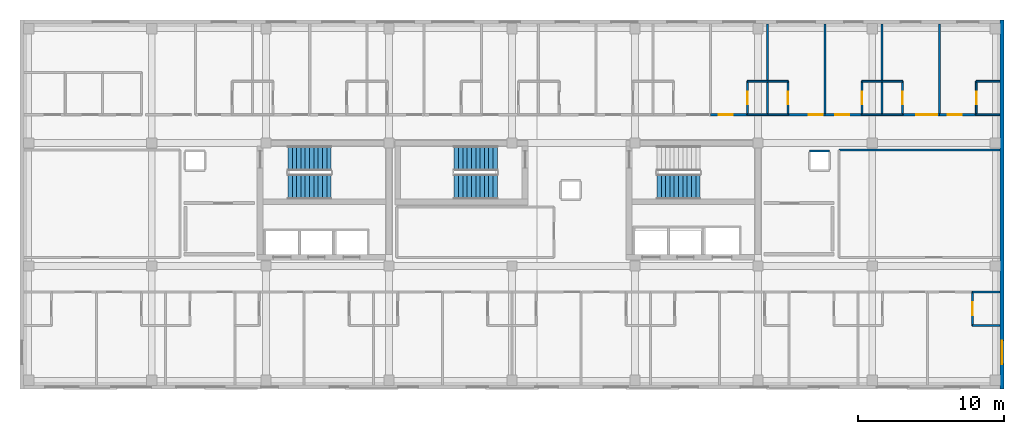
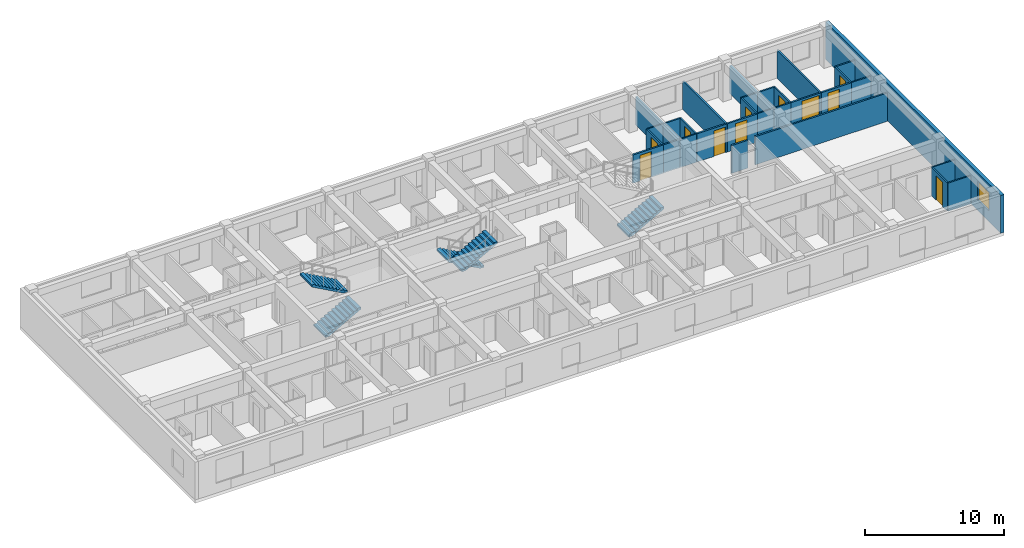
# One storey, part 8 of 11: 30 walls, 11 doors, 5 stair flights, 1 window, 12 openings, 3 elements without a shape of their own.
"""IFC4 building model written with IfcOpenShell, lengths in metres."""

from ifc_helpers import new_model, si_unit, direction, frame, frame_2d, origin, place, context, subcontext, project, spatial, polyline, rectangle, outline, extrude, material, layer, layer_set, type_object, element, fill, aggregate, save


model = new_model("IFC4")

# Units and contexts
model_context = context("Model", 3, precision=1e-05, world=origin(), true_north=direction((0.0, 1.0)))
body_context = subcontext(model_context, "Body", "Model", "MODEL_VIEW")
ifc_project = project(units=[si_unit("LENGTHUNIT", "METRE"), si_unit("AREAUNIT", "SQUARE_METRE"), si_unit("VOLUMEUNIT", "CUBIC_METRE"), si_unit("PLANEANGLEUNIT", "RADIAN"), si_unit("MASSUNIT", "GRAM", prefix="KILO")], contexts=[model_context])

# Site, building, storey
site_placement = place(None, origin())
site = spatial("IfcSite", under=ifc_project, at=site_placement, CompositionType="ELEMENT")
building_placement = place(site_placement, origin())
building = spatial("IfcBuilding", under=site, at=building_placement, Name="Zayran Congress Hotel", CompositionType="ELEMENT")
storey_placement = place(building_placement, frame((0.0, 0.0, 26.39990234375)))
storey = spatial("IfcBuildingStorey", under=building, at=storey_placement, Name="L06", CompositionType="ELEMENT", Elevation=26.39990234375)

# Wall, opening, window
ifc_material_1 = material(Name="Hajar Ma'ani limestone cavity wall and concrete C32/40", Category="masonry")
ifc_layer_1 = layer(ifc_material_1, 0.280029296875)
ifc_layer_set_1 = layer_set([ifc_layer_1], Name="Hajar Ma'ani limestone cavity wall and concrete C32/40")
wall_type_1 = type_object("IfcWallType", Name="WL-EX-280", PredefinedType="SOLIDWALL", material=ifc_layer_set_1)
wall_1_placement = place(storey_placement, frame((75.4599609375, 34.0, 0.0), z_axis=(0.0, 0.0, 1.0), x_axis=(0.0, -1.0, 0.0)))
wall_1 = element("IfcWall", 1, at=wall_1_placement, inside=storey, type_object=wall_type_1, Name="EW-V5-E-L06", PredefinedType="SOLIDWALL", context=body_context, shape_type="SweptSolid", body=[
    extrude(rectangle(XDim=25.199951171875, YDim=0.280029296875, at=frame_2d((12.60009765625, 0.0))), origin(), (0.0, 0.0, 1.0), 3.320068359375),
])
opening_1_placement = place(wall_1_placement, frame((21.89990234375, 0.0, 0.949951171875)))
opening_1 = element("IfcOpeningElement", 2, at=opening_1_placement, cuts=wall_1, Name="Opening WN-15", PredefinedType="OPENING", context=body_context, shape_type="SweptSolid", body=[
    extrude(rectangle(XDim=1.60009765625, YDim=1.60009765625, at=frame_2d((0.800048828125, 0.800048828125))), frame((0.0, 0.14990234375, 0.0), z_axis=(0.0, -1.0, 0.0), x_axis=(1.0, 0.0, 0.0)), (0.0, 0.0, 1.0), 0.300048828125),
])
ifc_material_2 = material(Name="Anodised aluminium and low-E insulated glass", Category="aluminium")
window_type = type_object("IfcWindowType", Name="TP-WN-15", PartitioningType="SINGLE_PANEL", PredefinedType="WINDOW", material=ifc_material_2)
window_placement = place(opening_1_placement, origin())
window = element("IfcWindow", 3, at=window_placement, inside=storey, type_object=window_type, Name="WIN-V5E-L06", OverallHeight=1.60009765625, OverallWidth=1.60009765625, PartitioningType="SINGLE_PANEL", PredefinedType="WINDOW", context=body_context, shape_type="SweptSolid", body=[
    extrude(rectangle(XDim=1.60009765625, YDim=1.60009765625, at=frame_2d((0.800048828125, 0.800048828125))), frame((0.0, 0.030029296875, 0.0), z_axis=(0.0, -1.0, 0.0), x_axis=(1.0, 0.0, 0.0)), (0.0, 0.0, 1.0), 0.06005859375),
])
fill(opening_1, window)

# Wall, opening, door
ifc_material_3 = material(Name="Hospitality guestroom acoustic partition", Category="gypsum")
ifc_layer_2 = layer(ifc_material_3, 0.139892578125)
ifc_layer_set_2 = layer_set([ifc_layer_2], Name="Hospitality guestroom acoustic partition")
wall_type_2 = type_object("IfcWallType", Name="WL-PT-140", PredefinedType="PARTITIONING", material=ifc_layer_set_2)
wall_2_placement = place(storey_placement, frame((55.56689453125, 27.530029296875, 0.0), z_axis=(0.0, 0.0, 1.0), x_axis=(1.0, 0.0, 0.0)))
wall_2 = element("IfcWall", 4, at=wall_2_placement, inside=storey, type_object=wall_type_2, Name="IW-L06-0717", PredefinedType="PARTITIONING", context=body_context, shape_type="SweptSolid", body=[
    extrude(rectangle(XDim=2.51220703125, YDim=0.139892578125, at=frame_2d((1.256103515625, 0.0))), origin(), (0.0, 0.0, 1.0), 2.47998046875),
])
opening_2_placement = place(wall_2_placement, frame((0.549072265625, 0.0, 0.0)))
opening_2 = element("IfcOpeningElement", 5, at=opening_2_placement, cuts=wall_2, Name="Opening DR-GR-03", PredefinedType="OPENING", context=body_context, shape_type="SweptSolid", body=[
    extrude(rectangle(XDim=0.9599609375, YDim=2.25, at=frame_2d((0.47998046875, 1.125))), frame((0.0, 0.079833984375, 0.0), z_axis=(0.0, -1.0, 0.0), x_axis=(1.0, 0.0, 0.0)), (0.0, 0.0, 1.0), 0.159912109375),
])
ifc_material_4 = material(Name="Executive walnut veneer entry door", Category="wood")
door_type_1 = type_object("IfcDoorType", Name="TP-DR-GR-03", OperationType="NOTDEFINED", PredefinedType="DOOR", material=ifc_material_4)
door_1_placement = place(opening_2_placement, origin())
door_1 = element("IfcDoor", 6, at=door_1_placement, inside=storey, type_object=door_type_1, Name="Guest Room L06-24 Door", OperationType="SINGLE_SWING_RIGHT", OverallHeight=2.25, OverallWidth=0.9599609375, PredefinedType="DOOR", context=body_context, shape_type="SweptSolid", body=[
    extrude(rectangle(XDim=0.9599609375, YDim=2.25, at=frame_2d((0.47998046875, 1.125))), frame((0.0, 0.02490234375, 0.0), z_axis=(0.0, -1.0, 0.0), x_axis=(1.0, 0.0, 0.0)), (0.0, 0.0, 1.0), 0.050048828125),
])
fill(opening_2, door_1)

wall_3_placement = place(storey_placement, frame((60.85302734375, 27.530029296875, 0.0), z_axis=(0.0, 0.0, 1.0), x_axis=(1.0, 0.0, 0.0)))
wall_3 = element("IfcWall", 7, at=wall_3_placement, inside=storey, type_object=wall_type_2, Name="IW-L06-0718", PredefinedType="PARTITIONING", context=body_context, shape_type="SweptSolid", body=[
    extrude(rectangle(XDim=2.510986328125, YDim=0.139892578125, at=frame_2d((1.25537109375, 0.0))), origin(), (0.0, 0.0, 1.0), 2.47998046875),
])
opening_3_placement = place(wall_3_placement, frame((1.410888671875, 0.0, 0.0)))
opening_3 = element("IfcOpeningElement", 8, at=opening_3_placement, cuts=wall_3, Name="Opening DR-GR-03", PredefinedType="OPENING", context=body_context, shape_type="SweptSolid", body=[
    extrude(rectangle(XDim=0.9599609375, YDim=2.25, at=frame_2d((0.47998046875, 1.125))), frame((0.0, 0.079833984375, 0.0), z_axis=(0.0, -1.0, 0.0), x_axis=(1.0, 0.0, 0.0)), (0.0, 0.0, 1.0), 0.159912109375),
])
door_2_placement = place(opening_3_placement, origin())
door_2 = element("IfcDoor", 9, at=door_2_placement, inside=storey, type_object=door_type_1, Name="Guest Room L06-25 Door", OperationType="SINGLE_SWING_LEFT", OverallHeight=2.25, OverallWidth=0.9599609375, PredefinedType="DOOR", context=body_context, shape_type="SweptSolid", body=[
    extrude(rectangle(XDim=0.9599609375, YDim=2.25, at=frame_2d((0.47998046875, 1.125))), frame((0.0, 0.02490234375, 0.0), z_axis=(0.0, -1.0, 0.0), x_axis=(1.0, 0.0, 0.0)), (0.0, 0.0, 1.0), 0.050048828125),
])
fill(opening_3, door_2)

wall_4_placement = place(storey_placement, frame((63.384033203125, 27.530029296875, 0.0), z_axis=(0.0, 0.0, 1.0), x_axis=(1.0, 0.0, 0.0)))
wall_4 = element("IfcWall", 10, at=wall_4_placement, inside=storey, type_object=wall_type_2, Name="IW-L06-0719", PredefinedType="PARTITIONING", context=body_context, shape_type="SweptSolid", body=[
    extrude(rectangle(XDim=2.511962890625, YDim=0.139892578125, at=frame_2d((1.255859375, 0.0))), origin(), (0.0, 0.0, 1.0), 2.47998046875),
])
opening_4_placement = place(wall_4_placement, frame((0.68505859375, 0.0, 0.0)))
opening_4 = element("IfcOpeningElement", 11, at=opening_4_placement, cuts=wall_4, Name="Opening DR-GR-03", PredefinedType="OPENING", context=body_context, shape_type="SweptSolid", body=[
    extrude(rectangle(XDim=0.9599609375, YDim=2.25, at=frame_2d((0.47998046875, 1.125))), frame((0.0, 0.079833984375, 0.0), z_axis=(0.0, -1.0, 0.0), x_axis=(1.0, 0.0, 0.0)), (0.0, 0.0, 1.0), 0.159912109375),
])
door_3_placement = place(opening_4_placement, origin())
door_3 = element("IfcDoor", 12, at=door_3_placement, inside=storey, type_object=door_type_1, Name="Guest Room L06-26 Door", OperationType="SINGLE_SWING_RIGHT", OverallHeight=2.25, OverallWidth=0.9599609375, PredefinedType="DOOR", context=body_context, shape_type="SweptSolid", body=[
    extrude(rectangle(XDim=0.9599609375, YDim=2.25, at=frame_2d((0.47998046875, 1.125))), frame((0.0, 0.02490234375, 0.0), z_axis=(0.0, -1.0, 0.0), x_axis=(1.0, 0.0, 0.0)), (0.0, 0.0, 1.0), 0.050048828125),
])
fill(opening_4, door_3)

wall_5_placement = place(storey_placement, frame((68.669921875, 27.530029296875, 0.0), z_axis=(0.0, 0.0, 1.0), x_axis=(1.0, 0.0, 0.0)))
wall_5 = element("IfcWall", 13, at=wall_5_placement, inside=storey, type_object=wall_type_2, Name="IW-L06-0720", PredefinedType="PARTITIONING", context=body_context, shape_type="SweptSolid", body=[
    extrude(rectangle(XDim=2.510986328125, YDim=0.139892578125, at=frame_2d((1.25537109375, 0.0))), origin(), (0.0, 0.0, 1.0), 2.47998046875),
])
opening_5_placement = place(wall_5_placement, frame((0.9208984375, 0.0, 0.0)))
opening_5 = element("IfcOpeningElement", 14, at=opening_5_placement, cuts=wall_5, Name="Opening DR-ST-01", PredefinedType="OPENING", context=body_context, shape_type="SweptSolid", body=[
    extrude(rectangle(XDim=1.449951171875, YDim=2.300048828125, at=frame_2d((0.72509765625, 1.14990234375))), frame((0.0, 0.079833984375, 0.0), z_axis=(0.0, -1.0, 0.0), x_axis=(1.0, 0.0, 0.0)), (0.0, 0.0, 1.0), 0.159912109375),
])
ifc_material_5 = material(Name="Double walnut veneer suite entry door", Category="wood")
door_type_2 = type_object("IfcDoorType", Name="TP-DR-ST-01", OperationType="DOUBLE_DOOR_SINGLE_SWING", PredefinedType="DOOR", material=ifc_material_5)
door_4_placement = place(opening_5_placement, origin())
door_4 = element("IfcDoor", 15, at=door_4_placement, inside=storey, type_object=door_type_2, Name="Executive Suite L06-27 Door", OperationType="DOUBLE_DOOR_SINGLE_SWING", OverallHeight=2.300048828125, OverallWidth=1.449951171875, PredefinedType="DOOR", context=body_context, shape_type="SweptSolid", body=[
    extrude(rectangle(XDim=1.449951171875, YDim=2.300048828125, at=frame_2d((0.72509765625, 1.14990234375))), frame((0.0, 0.02490234375, 0.0), z_axis=(0.0, -1.0, 0.0), x_axis=(1.0, 0.0, 0.0)), (0.0, 0.0, 1.0), 0.050048828125),
])
fill(opening_5, door_4)

wall_6_placement = place(storey_placement, frame((71.200927734375, 27.530029296875, 0.0), z_axis=(0.0, 0.0, 1.0), x_axis=(1.0, 0.0, 0.0)))
wall_6 = element("IfcWall", 16, at=wall_6_placement, inside=storey, type_object=wall_type_2, Name="IW-L06-0721", PredefinedType="PARTITIONING", context=body_context, shape_type="SweptSolid", body=[
    extrude(rectangle(XDim=2.511962890625, YDim=0.139892578125, at=frame_2d((1.255859375, 0.0))), origin(), (0.0, 0.0, 1.0), 2.47998046875),
])
opening_6_placement = place(wall_6_placement, frame((0.549072265625, 0.0, 0.0)))
opening_6 = element("IfcOpeningElement", 17, at=opening_6_placement, cuts=wall_6, Name="Opening DR-GR-03", PredefinedType="OPENING", context=body_context, shape_type="SweptSolid", body=[
    extrude(rectangle(XDim=0.9599609375, YDim=2.25, at=frame_2d((0.47998046875, 1.125))), frame((0.0, 0.079833984375, 0.0), z_axis=(0.0, -1.0, 0.0), x_axis=(1.0, 0.0, 0.0)), (0.0, 0.0, 1.0), 0.159912109375),
])
door_5_placement = place(opening_6_placement, origin())
door_5 = element("IfcDoor", 18, at=door_5_placement, inside=storey, type_object=door_type_1, Name="Guest Room L06-28 Door", OperationType="SINGLE_SWING_LEFT", OverallHeight=2.25, OverallWidth=0.9599609375, PredefinedType="DOOR", context=body_context, shape_type="SweptSolid", body=[
    extrude(rectangle(XDim=0.9599609375, YDim=2.25, at=frame_2d((0.47998046875, 1.125))), frame((0.0, 0.02490234375, 0.0), z_axis=(0.0, -1.0, 0.0), x_axis=(1.0, 0.0, 0.0)), (0.0, 0.0, 1.0), 0.050048828125),
])
fill(opening_6, door_5)

# Walls
wall_7_placement = place(storey_placement, frame((64.320068359375, 25.1201171875, 0.0), z_axis=(0.0, 0.0, 1.0), x_axis=(1.0, 0.0, 0.0)))
element("IfcWall", 19, at=wall_7_placement, inside=storey, type_object=wall_type_2, Name="IW-L06-2021", PredefinedType="PARTITIONING", context=body_context, shape_type="SweptSolid", body=[
    extrude(rectangle(XDim=11.0, YDim=0.139892578125, at=frame_2d((5.5, 0.0))), origin(), (0.0, 0.0, 1.0), 2.47998046875),
])
for number, where, z_axis, x_axis, name in (
    (20, (59.4560546875, 27.52001953125, 0.0), (0.0, 0.0, 1.0), (0.0, 1.0, 0.0), "IW-L06-2047"),
    (21, (63.364013671875, 27.52001953125, 0.0), (0.0, 0.0, 1.0), (0.0, 1.0, 0.0), "IW-L06-2048"),
    (22, (67.27294921875, 27.52001953125, 0.0), (0.0, 0.0, 1.0), (0.0, 1.0, 0.0), "IW-L06-2049"),
    (23, (71.180908203125, 27.52001953125, 0.0), (0.0, 0.0, 1.0), (0.0, 1.0, 0.0), "IW-L06-2050"),
):
    element("IfcWall", number, at=place(storey_placement, frame(where, z_axis=z_axis, x_axis=x_axis)), inside=storey, type_object=wall_type_2, Name=name, PredefinedType="PARTITIONING", context=body_context, shape_type="SweptSolid", body=[
        extrude(rectangle(XDim=6.199951171875, YDim=0.139892578125, at=frame_2d((3.10009765625, 0.0))), origin(), (0.0, 0.0, 1.0), 2.47998046875),
    ])
wall_8_placement = place(storey_placement, frame((63.68994140625, 25.050048828125, 0.0), z_axis=(0.0, 0.0, 1.0), x_axis=(-1.0, 0.0, 0.0)))
element("IfcWall", 24, at=wall_8_placement, inside=storey, type_object=wall_type_2, Name="RSWL-V5-L06-043-N", PredefinedType="PARTITIONING", context=body_context, shape_type="SweptSolid", body=[
    extrude(rectangle(XDim=1.35986328125, YDim=0.139892578125, at=frame_2d((0.679931640625, 0.0))), origin(), (0.0, 0.0, 1.0), 2.440185546875),
])

# Wall, opening, door
ifc_material_6 = material(Name="Moisture-resistant bathroom partition", Category="gypsum")
ifc_layer_3 = layer(ifc_material_6, 0.1201171875)
ifc_layer_set_3 = layer_set([ifc_layer_3], Name="Moisture-resistant bathroom partition")
wall_type_3 = type_object("IfcWallType", Name="WL-PT-120", PredefinedType="PARTITIONING", material=ifc_layer_set_3)
wall_9_placement = place(storey_placement, frame((73.44189453125, 13.1201171875, 0.0), z_axis=(0.0, 0.0, 1.0), x_axis=(0.0, 1.0, 0.0)))
wall_9 = element("IfcWall", 25, at=wall_9_placement, inside=storey, type_object=wall_type_3, Name="IW-L06-0204", PredefinedType="PARTITIONING", context=body_context, shape_type="SweptSolid", body=[
    extrude(rectangle(XDim=2.309814453125, YDim=0.1201171875, at=frame_2d((1.15478515625, 0.0))), origin(), (0.0, 0.0, 1.0), 2.47998046875),
])
opening_7_placement = place(wall_9_placement, frame((0.715087890625, 0.0, 0.0)))
opening_7 = element("IfcOpeningElement", 26, at=opening_7_placement, cuts=wall_9, Name="Opening DR-BT-01", PredefinedType="OPENING", context=body_context, shape_type="SweptSolid", body=[
    extrude(rectangle(XDim=0.8798828125, YDim=2.14990234375, at=frame_2d((0.43994140625, 1.074951171875))), frame((0.0, 0.070068359375, 0.0), z_axis=(0.0, -1.0, 0.0), x_axis=(1.0, 0.0, 0.0)), (0.0, 0.0, 1.0), 0.14013671875),
])
ifc_material_7 = material(Name="Moisture-resistant oak en-suite door", Category="wood")
door_type_3 = type_object("IfcDoorType", Name="TP-DR-BT-01", OperationType="NOTDEFINED", PredefinedType="DOOR", material=ifc_material_7)
door_6_placement = place(opening_7_placement, origin())
door_6 = element("IfcDoor", 27, at=door_6_placement, inside=storey, type_object=door_type_3, Name="En-Suite Bathroom L06-14 Door", OperationType="SINGLE_SWING_LEFT", OverallHeight=2.14990234375, OverallWidth=0.8798828125, PredefinedType="DOOR", context=body_context, shape_type="SweptSolid", body=[
    extrude(rectangle(XDim=0.8798828125, YDim=2.14990234375, at=frame_2d((0.43994140625, 1.074951171875))), frame((0.0, 0.02490234375, 0.0), z_axis=(0.0, -1.0, 0.0), x_axis=(1.0, 0.0, 0.0)), (0.0, 0.0, 1.0), 0.050048828125),
])
fill(opening_7, door_6)

wall_10_placement = place(storey_placement, frame((58.0791015625, 27.52001953125, 0.0), z_axis=(0.0, 0.0, 1.0), x_axis=(0.0, 1.0, 0.0)))
wall_10 = element("IfcWall", 28, at=wall_10_placement, inside=storey, type_object=wall_type_3, Name="IW-L06-0214", PredefinedType="PARTITIONING", context=body_context, shape_type="SweptSolid", body=[
    extrude(rectangle(XDim=2.31005859375, YDim=0.1201171875, at=frame_2d((1.155029296875, 0.0))), origin(), (0.0, 0.0, 1.0), 2.47998046875),
])
opening_8_placement = place(wall_10_placement, frame((0.715087890625, 0.0, 0.0)))
opening_8 = element("IfcOpeningElement", 29, at=opening_8_placement, cuts=wall_10, Name="Opening DR-BT-01", PredefinedType="OPENING", context=body_context, shape_type="SweptSolid", body=[
    extrude(rectangle(XDim=0.8798828125, YDim=2.14990234375, at=frame_2d((0.43994140625, 1.074951171875))), frame((0.0, 0.070068359375, 0.0), z_axis=(0.0, -1.0, 0.0), x_axis=(1.0, 0.0, 0.0)), (0.0, 0.0, 1.0), 0.14013671875),
])
door_7_placement = place(opening_8_placement, origin())
door_7 = element("IfcDoor", 30, at=door_7_placement, inside=storey, type_object=door_type_3, Name="En-Suite Bathroom L06-24 Door", OperationType="SINGLE_SWING_LEFT", OverallHeight=2.14990234375, OverallWidth=0.8798828125, PredefinedType="DOOR", context=body_context, shape_type="SweptSolid", body=[
    extrude(rectangle(XDim=0.8798828125, YDim=2.14990234375, at=frame_2d((0.43994140625, 1.074951171875))), frame((0.0, 0.02490234375, 0.0), z_axis=(0.0, -1.0, 0.0), x_axis=(1.0, 0.0, 0.0)), (0.0, 0.0, 1.0), 0.050048828125),
])
fill(opening_8, door_7)

wall_11_placement = place(storey_placement, frame((60.85302734375, 27.52001953125, 0.0), z_axis=(0.0, 0.0, 1.0), x_axis=(0.0, 1.0, 0.0)))
wall_11 = element("IfcWall", 31, at=wall_11_placement, inside=storey, type_object=wall_type_3, Name="IW-L06-0215", PredefinedType="PARTITIONING", context=body_context, shape_type="SweptSolid", body=[
    extrude(rectangle(XDim=2.31005859375, YDim=0.1201171875, at=frame_2d((1.155029296875, 0.0))), origin(), (0.0, 0.0, 1.0), 2.47998046875),
])
opening_9_placement = place(wall_11_placement, frame((0.715087890625, 0.0, 0.0)))
opening_9 = element("IfcOpeningElement", 32, at=opening_9_placement, cuts=wall_11, Name="Opening DR-BT-01", PredefinedType="OPENING", context=body_context, shape_type="SweptSolid", body=[
    extrude(rectangle(XDim=0.8798828125, YDim=2.14990234375, at=frame_2d((0.43994140625, 1.074951171875))), frame((0.0, 0.070068359375, 0.0), z_axis=(0.0, -1.0, 0.0), x_axis=(1.0, 0.0, 0.0)), (0.0, 0.0, 1.0), 0.14013671875),
])
door_8_placement = place(opening_9_placement, origin())
door_8 = element("IfcDoor", 33, at=door_8_placement, inside=storey, type_object=door_type_3, Name="En-Suite Bathroom L06-25 Door", OperationType="SINGLE_SWING_RIGHT", OverallHeight=2.14990234375, OverallWidth=0.8798828125, PredefinedType="DOOR", context=body_context, shape_type="SweptSolid", body=[
    extrude(rectangle(XDim=0.8798828125, YDim=2.14990234375, at=frame_2d((0.43994140625, 1.074951171875))), frame((0.0, 0.02490234375, 0.0), z_axis=(0.0, -1.0, 0.0), x_axis=(1.0, 0.0, 0.0)), (0.0, 0.0, 1.0), 0.050048828125),
])
fill(opening_9, door_8)

wall_12_placement = place(storey_placement, frame((65.89599609375, 27.52001953125, 0.0), z_axis=(0.0, 0.0, 1.0), x_axis=(0.0, 1.0, 0.0)))
wall_12 = element("IfcWall", 34, at=wall_12_placement, inside=storey, type_object=wall_type_3, Name="IW-L06-0216", PredefinedType="PARTITIONING", context=body_context, shape_type="SweptSolid", body=[
    extrude(rectangle(XDim=2.31005859375, YDim=0.1201171875, at=frame_2d((1.155029296875, 0.0))), origin(), (0.0, 0.0, 1.0), 2.47998046875),
])
opening_10_placement = place(wall_12_placement, frame((0.715087890625, 0.0, 0.0)))
opening_10 = element("IfcOpeningElement", 35, at=opening_10_placement, cuts=wall_12, Name="Opening DR-BT-01", PredefinedType="OPENING", context=body_context, shape_type="SweptSolid", body=[
    extrude(rectangle(XDim=0.8798828125, YDim=2.14990234375, at=frame_2d((0.43994140625, 1.074951171875))), frame((0.0, 0.070068359375, 0.0), z_axis=(0.0, -1.0, 0.0), x_axis=(1.0, 0.0, 0.0)), (0.0, 0.0, 1.0), 0.14013671875),
])
door_9_placement = place(opening_10_placement, origin())
door_9 = element("IfcDoor", 36, at=door_9_placement, inside=storey, type_object=door_type_3, Name="En-Suite Bathroom L06-26 Door", OperationType="SINGLE_SWING_LEFT", OverallHeight=2.14990234375, OverallWidth=0.8798828125, PredefinedType="DOOR", context=body_context, shape_type="SweptSolid", body=[
    extrude(rectangle(XDim=0.8798828125, YDim=2.14990234375, at=frame_2d((0.43994140625, 1.074951171875))), frame((0.0, 0.02490234375, 0.0), z_axis=(0.0, -1.0, 0.0), x_axis=(1.0, 0.0, 0.0)), (0.0, 0.0, 1.0), 0.050048828125),
])
fill(opening_10, door_9)

wall_13_placement = place(storey_placement, frame((68.669921875, 27.52001953125, 0.0), z_axis=(0.0, 0.0, 1.0), x_axis=(0.0, 1.0, 0.0)))
wall_13 = element("IfcWall", 37, at=wall_13_placement, inside=storey, type_object=wall_type_3, Name="IW-L06-0217", PredefinedType="PARTITIONING", context=body_context, shape_type="SweptSolid", body=[
    extrude(rectangle(XDim=2.31005859375, YDim=0.1201171875, at=frame_2d((1.155029296875, 0.0))), origin(), (0.0, 0.0, 1.0), 2.47998046875),
])
opening_11_placement = place(wall_13_placement, frame((0.715087890625, 0.0, 0.0)))
opening_11 = element("IfcOpeningElement", 38, at=opening_11_placement, cuts=wall_13, Name="Opening DR-BT-01", PredefinedType="OPENING", context=body_context, shape_type="SweptSolid", body=[
    extrude(rectangle(XDim=0.8798828125, YDim=2.14990234375, at=frame_2d((0.43994140625, 1.074951171875))), frame((0.0, 0.070068359375, 0.0), z_axis=(0.0, -1.0, 0.0), x_axis=(1.0, 0.0, 0.0)), (0.0, 0.0, 1.0), 0.14013671875),
])
door_10_placement = place(opening_11_placement, origin())
door_10 = element("IfcDoor", 39, at=door_10_placement, inside=storey, type_object=door_type_3, Name="En-Suite Bathroom L06-27 Door", OperationType="SINGLE_SWING_RIGHT", OverallHeight=2.14990234375, OverallWidth=0.8798828125, PredefinedType="DOOR", context=body_context, shape_type="SweptSolid", body=[
    extrude(rectangle(XDim=0.8798828125, YDim=2.14990234375, at=frame_2d((0.43994140625, 1.074951171875))), frame((0.0, 0.02490234375, 0.0), z_axis=(0.0, -1.0, 0.0), x_axis=(1.0, 0.0, 0.0)), (0.0, 0.0, 1.0), 0.050048828125),
])
fill(opening_11, door_10)

wall_14_placement = place(storey_placement, frame((73.712890625, 27.52001953125, 0.0), z_axis=(0.0, 0.0, 1.0), x_axis=(0.0, 1.0, 0.0)))
wall_14 = element("IfcWall", 40, at=wall_14_placement, inside=storey, type_object=wall_type_3, Name="IW-L06-0218", PredefinedType="PARTITIONING", context=body_context, shape_type="SweptSolid", body=[
    extrude(rectangle(XDim=2.31005859375, YDim=0.1201171875, at=frame_2d((1.155029296875, 0.0))), origin(), (0.0, 0.0, 1.0), 2.47998046875),
])
opening_12_placement = place(wall_14_placement, frame((0.715087890625, 0.0, 0.0)))
opening_12 = element("IfcOpeningElement", 41, at=opening_12_placement, cuts=wall_14, Name="Opening DR-BT-01", PredefinedType="OPENING", context=body_context, shape_type="SweptSolid", body=[
    extrude(rectangle(XDim=0.8798828125, YDim=2.14990234375, at=frame_2d((0.43994140625, 1.074951171875))), frame((0.0, 0.070068359375, 0.0), z_axis=(0.0, -1.0, 0.0), x_axis=(1.0, 0.0, 0.0)), (0.0, 0.0, 1.0), 0.14013671875),
])
door_11_placement = place(opening_12_placement, origin())
door_11 = element("IfcDoor", 42, at=door_11_placement, inside=storey, type_object=door_type_3, Name="En-Suite Bathroom L06-28 Door", OperationType="SINGLE_SWING_LEFT", OverallHeight=2.14990234375, OverallWidth=0.8798828125, PredefinedType="DOOR", context=body_context, shape_type="SweptSolid", body=[
    extrude(rectangle(XDim=0.8798828125, YDim=2.14990234375, at=frame_2d((0.43994140625, 1.074951171875))), frame((0.0, 0.02490234375, 0.0), z_axis=(0.0, -1.0, 0.0), x_axis=(1.0, 0.0, 0.0)), (0.0, 0.0, 1.0), 0.050048828125),
])
fill(opening_12, door_11)

# Walls
for number, where, z_axis, x_axis, name in (
    (43, (73.431884765625, 13.1298828125, 0.0), (0.0, 0.0, 1.0), (1.0, 0.0, 0.0), "IW-L06-1275"),
    (44, (73.431884765625, 15.419921875, 0.0), (0.0, 0.0, 1.0), (1.0, 0.0, 0.0), "IW-L06-1276"),
):
    element("IfcWall", number, at=place(storey_placement, frame(where, z_axis=z_axis, x_axis=x_axis)), inside=storey, type_object=wall_type_3, Name=name, PredefinedType="PARTITIONING", context=body_context, shape_type="SweptSolid", body=[
        extrude(rectangle(XDim=1.88818359375, YDim=0.1201171875, at=frame_2d((0.944091796875, 0.0))), origin(), (0.0, 0.0, 1.0), 2.47998046875),
    ])
for number, where, z_axis, x_axis, name in (
    (45, (58.069091796875, 27.530029296875, 0.0), (0.0, 0.0, 1.0), (1.0, 0.0, 0.0), "IW-L06-1295"),
    (46, (58.069091796875, 29.820068359375, 0.0), (0.0, 0.0, 1.0), (1.0, 0.0, 0.0), "IW-L06-1296"),
    (47, (59.466064453125, 27.530029296875, 0.0), (0.0, 0.0, 1.0), (1.0, 0.0, 0.0), "IW-L06-1297"),
    (48, (59.466064453125, 29.820068359375, 0.0), (0.0, 0.0, 1.0), (1.0, 0.0, 0.0), "IW-L06-1298"),
    (49, (65.885986328125, 27.530029296875, 0.0), (0.0, 0.0, 1.0), (1.0, 0.0, 0.0), "IW-L06-1299"),
    (50, (65.885986328125, 29.820068359375, 0.0), (0.0, 0.0, 1.0), (1.0, 0.0, 0.0), "IW-L06-1300"),
    (51, (67.282958984375, 27.530029296875, 0.0), (0.0, 0.0, 1.0), (1.0, 0.0, 0.0), "IW-L06-1301"),
    (52, (67.282958984375, 29.820068359375, 0.0), (0.0, 0.0, 1.0), (1.0, 0.0, 0.0), "IW-L06-1302"),
):
    element("IfcWall", number, at=place(storey_placement, frame(where, z_axis=z_axis, x_axis=x_axis)), inside=storey, type_object=wall_type_3, Name=name, PredefinedType="PARTITIONING", context=body_context, shape_type="SweptSolid", body=[
        extrude(rectangle(XDim=1.39697265625, YDim=0.1201171875, at=frame_2d((0.698486328125, 0.0))), origin(), (0.0, 0.0, 1.0), 2.47998046875),
    ])
for number, where, z_axis, x_axis, name in (
    (53, (73.702880859375, 27.530029296875, 0.0), (0.0, 0.0, 1.0), (1.0, 0.0, 0.0), "IW-L06-1303"),
    (54, (73.702880859375, 29.820068359375, 0.0), (0.0, 0.0, 1.0), (1.0, 0.0, 0.0), "IW-L06-1304"),
):
    element("IfcWall", number, at=place(storey_placement, frame(where, z_axis=z_axis, x_axis=x_axis)), inside=storey, type_object=wall_type_3, Name=name, PredefinedType="PARTITIONING", context=body_context, shape_type="SweptSolid", body=[
        extrude(rectangle(XDim=1.6171875, YDim=0.1201171875, at=frame_2d((0.80859375, 0.0))), origin(), (0.0, 0.0, 1.0), 2.47998046875),
    ])

# Stair, stair flights
ifc_material_8 = material(Name="Concrete C32/40", Category="concrete")
stair_type = type_object("IfcStairType", Name="TP-STR-1700-36", PredefinedType="USERDEFINED", material=ifc_material_8)
stair_1_placement = place(storey_placement, origin())
stair_1 = element("IfcStair", 55, at=stair_1_placement, inside=storey, type_object=stair_type, Name="L06 ST-01", ObjectType="TWO_RETURN_STAIR", PredefinedType="USERDEFINED")
stair_flight_type = type_object("IfcStairFlightType", Name="TP-STF-1700-36", PredefinedType="STRAIGHT", material=ifc_material_8)
stair_flight_1_placement = place(storey_placement, frame((26.699951171875, 22.610107421875, 0.0), z_axis=(0.0, 0.0, 1.0), x_axis=(1.0, 0.0, 0.0)))
stair_flight_1 = element("IfcStairFlight", 56, at=stair_flight_1_placement, type_object=stair_flight_type, Name="ST-01 flight 1", NumberOfRisers=11, NumberOfTreads=10, PredefinedType="STRAIGHT", RiserHeight=0.1636363636363637, TreadLength=0.295, context=body_context, shape_type="SweptSolid", body=[
    extrude(outline(polyline([(0.0, 0.0), (0.0, 0.16357421875), (0.294921875, 0.16357421875), (0.294921875, 0.327392578125), (0.590087890625, 0.327392578125), (0.590087890625, 0.490966796875), (0.885009765625, 0.490966796875), (0.885009765625, 0.654541015625), (1.179931640625, 0.654541015625), (1.179931640625, 0.818115234375), (1.47509765625, 0.818115234375), (1.47509765625, 0.98193359375), (1.77001953125, 0.98193359375), (1.77001953125, 1.1455078125), (2.06494140625, 1.1455078125), (2.06494140625, 1.30908203125), (2.360107421875, 1.30908203125), (2.360107421875, 1.47265625), (2.655029296875, 1.47265625), (2.655029296875, 1.636474609375), (2.949951171875, 1.636474609375), (2.949951171875, 1.800048828125), (2.949951171875, 1.46484375), (0.30908203125, 0.0), (0.0, 0.0)])), frame((0.0, 0.85009765625, 0.0), z_axis=(0.0, -1.0, 0.0), x_axis=(1.0, 0.0, 0.0)), (0.0, 0.0, 1.0), 1.699951171875),
])
stair_flight_2_placement = place(storey_placement, frame((29.64990234375, 24.550048828125, 1.800048828125), z_axis=(0.0, 0.0, 1.0), x_axis=(-1.0, 0.0, 0.0)))
stair_flight_2 = element("IfcStairFlight", 57, at=stair_flight_2_placement, type_object=stair_flight_type, Name="ST-01 flight 2", NumberOfRisers=11, NumberOfTreads=10, PredefinedType="STRAIGHT", RiserHeight=0.1636363636363637, TreadLength=0.295, context=body_context, shape_type="SweptSolid", body=[
    extrude(outline(polyline([(0.0, 0.0), (0.0, 0.16357421875), (0.294921875, 0.16357421875), (0.294921875, 0.327392578125), (0.590087890625, 0.327392578125), (0.590087890625, 0.490966796875), (0.885009765625, 0.490966796875), (0.885009765625, 0.654541015625), (1.179931640625, 0.654541015625), (1.179931640625, 0.818115234375), (1.47509765625, 0.818115234375), (1.47509765625, 0.98193359375), (1.77001953125, 0.98193359375), (1.77001953125, 1.1455078125), (2.06494140625, 1.1455078125), (2.06494140625, 1.30908203125), (2.360107421875, 1.30908203125), (2.360107421875, 1.47265625), (2.655029296875, 1.47265625), (2.655029296875, 1.636474609375), (2.949951171875, 1.636474609375), (2.949951171875, 1.800048828125), (2.949951171875, 1.46484375), (0.30908203125, 0.0), (0.0, 0.0)])), frame((0.0, 0.85009765625, 0.0), z_axis=(0.0, -1.0, 0.0), x_axis=(1.0, 0.0, 0.0)), (0.0, 0.0, 1.0), 1.699951171875),
])
aggregate(stair_1, [stair_flight_1, stair_flight_2])

# Stair, stair flight
stair_2_placement = place(storey_placement, origin())
stair_2 = element("IfcStair", 58, at=stair_2_placement, inside=storey, type_object=stair_type, Name="L06 ST-02", ObjectType="TWO_RETURN_STAIR", PredefinedType="USERDEFINED")
stair_flight_3_placement = place(storey_placement, frame((51.89990234375, 22.610107421875, 0.0), z_axis=(0.0, 0.0, 1.0), x_axis=(1.0, 0.0, 0.0)))
stair_flight_3 = element("IfcStairFlight", 59, at=stair_flight_3_placement, type_object=stair_flight_type, Name="ST-02 flight 1", NumberOfRisers=11, NumberOfTreads=10, PredefinedType="STRAIGHT", RiserHeight=0.1636363636363637, TreadLength=0.295, context=body_context, shape_type="SweptSolid", body=[
    extrude(outline(polyline([(0.0, 0.0), (0.0, 0.16357421875), (0.294921875, 0.16357421875), (0.294921875, 0.327392578125), (0.590087890625, 0.327392578125), (0.590087890625, 0.490966796875), (0.885009765625, 0.490966796875), (0.885009765625, 0.654541015625), (1.179931640625, 0.654541015625), (1.179931640625, 0.818115234375), (1.47509765625, 0.818115234375), (1.47509765625, 0.98193359375), (1.77001953125, 0.98193359375), (1.77001953125, 1.1455078125), (2.06494140625, 1.1455078125), (2.06494140625, 1.30908203125), (2.360107421875, 1.30908203125), (2.360107421875, 1.47265625), (2.655029296875, 1.47265625), (2.655029296875, 1.636474609375), (2.949951171875, 1.636474609375), (2.949951171875, 1.800048828125), (2.949951171875, 1.46484375), (0.30908203125, 0.0), (0.0, 0.0)])), frame((0.0, 0.85009765625, 0.0), z_axis=(0.0, -1.0, 0.0), x_axis=(1.0, 0.0, 0.0)), (0.0, 0.0, 1.0), 1.699951171875),
])
aggregate(stair_2, [stair_flight_3])

# Stair, stair flights
stair_3_placement = place(storey_placement, origin())
stair_3 = element("IfcStair", 60, at=stair_3_placement, inside=storey, type_object=stair_type, Name="L06 ST-13", ObjectType="TWO_RETURN_STAIR", PredefinedType="USERDEFINED")
stair_flight_4_placement = place(storey_placement, frame((41.0, 24.550048828125, 0.0), z_axis=(0.0, 0.0, 1.0), x_axis=(-1.0, 0.0, 0.0)))
stair_flight_4 = element("IfcStairFlight", 61, at=stair_flight_4_placement, type_object=stair_flight_type, Name="ST-13 flight 1", NumberOfRisers=11, NumberOfTreads=10, PredefinedType="STRAIGHT", RiserHeight=0.1636363636363637, TreadLength=0.295, context=body_context, shape_type="SweptSolid", body=[
    extrude(outline(polyline([(0.0, 0.0), (0.0, 0.16357421875), (0.294921875, 0.16357421875), (0.294921875, 0.327392578125), (0.590087890625, 0.327392578125), (0.590087890625, 0.490966796875), (0.885009765625, 0.490966796875), (0.885009765625, 0.654541015625), (1.179931640625, 0.654541015625), (1.179931640625, 0.818115234375), (1.47509765625, 0.818115234375), (1.47509765625, 0.98193359375), (1.77001953125, 0.98193359375), (1.77001953125, 1.1455078125), (2.06494140625, 1.1455078125), (2.06494140625, 1.30908203125), (2.360107421875, 1.30908203125), (2.360107421875, 1.47265625), (2.655029296875, 1.47265625), (2.655029296875, 1.636474609375), (2.949951171875, 1.636474609375), (2.949951171875, 1.800048828125), (2.949951171875, 1.46484375), (0.30908203125, 0.0), (0.0, 0.0)])), frame((0.0, 0.85009765625, 0.0), z_axis=(0.0, -1.0, 0.0), x_axis=(1.0, 0.0, 0.0)), (0.0, 0.0, 1.0), 1.699951171875),
])
stair_flight_5_placement = place(storey_placement, frame((38.050048828125, 22.610107421875, 1.800048828125), z_axis=(0.0, 0.0, 1.0), x_axis=(1.0, 0.0, 0.0)))
stair_flight_5 = element("IfcStairFlight", 62, at=stair_flight_5_placement, type_object=stair_flight_type, Name="ST-13 flight 2", NumberOfRisers=11, NumberOfTreads=10, PredefinedType="STRAIGHT", RiserHeight=0.1636363636363637, TreadLength=0.295, context=body_context, shape_type="SweptSolid", body=[
    extrude(outline(polyline([(0.0, 0.0), (0.0, 0.16357421875), (0.294921875, 0.16357421875), (0.294921875, 0.327392578125), (0.590087890625, 0.327392578125), (0.590087890625, 0.490966796875), (0.885009765625, 0.490966796875), (0.885009765625, 0.654541015625), (1.179931640625, 0.654541015625), (1.179931640625, 0.818115234375), (1.47509765625, 0.818115234375), (1.47509765625, 0.98193359375), (1.77001953125, 0.98193359375), (1.77001953125, 1.1455078125), (2.06494140625, 1.1455078125), (2.06494140625, 1.30908203125), (2.360107421875, 1.30908203125), (2.360107421875, 1.47265625), (2.655029296875, 1.47265625), (2.655029296875, 1.636474609375), (2.949951171875, 1.636474609375), (2.949951171875, 1.800048828125), (2.949951171875, 1.46484375), (0.30908203125, 0.0), (0.0, 0.0)])), frame((0.0, 0.85009765625, 0.0), z_axis=(0.0, -1.0, 0.0), x_axis=(1.0, 0.0, 0.0)), (0.0, 0.0, 1.0), 1.699951171875),
])
aggregate(stair_3, [stair_flight_4, stair_flight_5])

save(model, "model.ifc")
